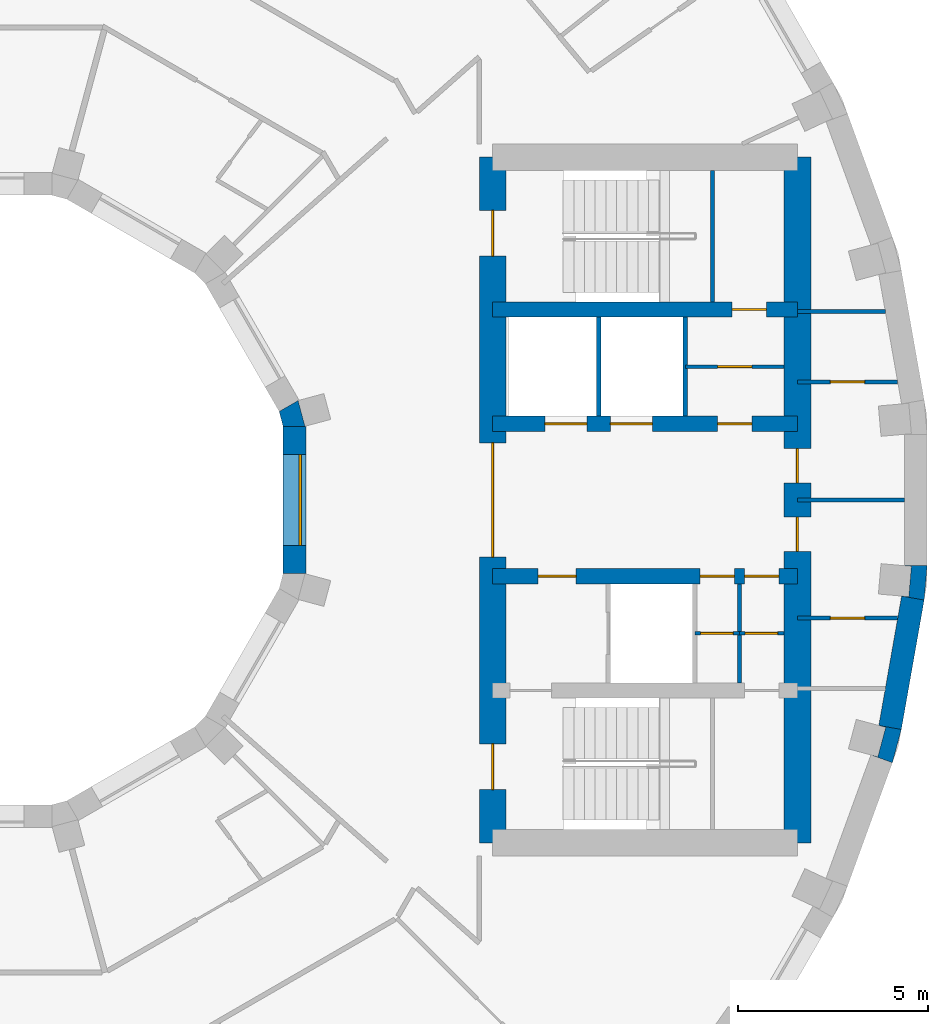
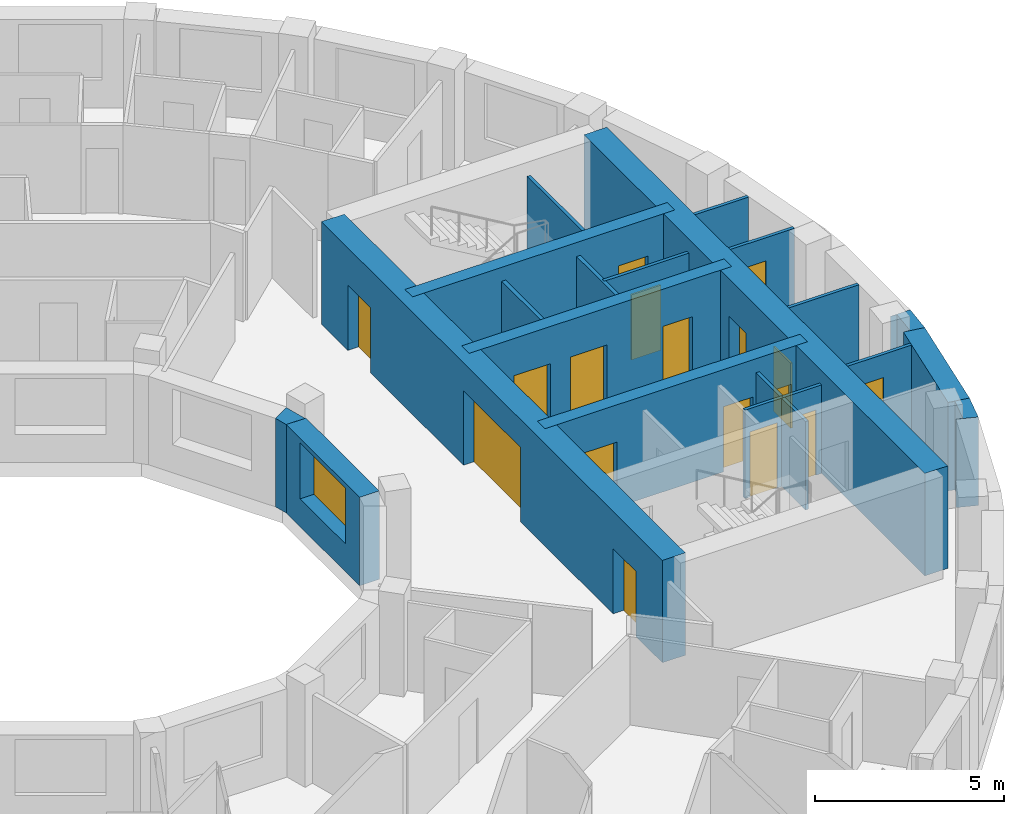
# One storey, part 9 of 14: 21 walls, 17 doors, 1 window, 18 openings.
"""IFC4 building model written with IfcOpenShell, lengths in metres."""

from ifc_helpers import new_model, si_unit, direction, frame, frame_2d, origin, place, context, subcontext, project, spatial, polyline, rectangle, outline, extrude, material, layer, layer_set, type_object, element, fill, save


model = new_model("IFC4")

# Units and contexts
model_context = context("Model", 3, precision=1e-05, world=origin(), true_north=direction((0.0, 1.0)))
body_context = subcontext(model_context, "Body", "Model", "MODEL_VIEW")
ifc_project = project(units=[si_unit("LENGTHUNIT", "METRE"), si_unit("AREAUNIT", "SQUARE_METRE"), si_unit("VOLUMEUNIT", "CUBIC_METRE"), si_unit("PLANEANGLEUNIT", "RADIAN"), si_unit("MASSUNIT", "GRAM", prefix="KILO")], contexts=[model_context])

# Site, building, storey
site_placement = place(None, origin())
site = spatial("IfcSite", under=ifc_project, at=site_placement, CompositionType="ELEMENT")
building_placement = place(site_placement, origin())
building = spatial("IfcBuilding", under=site, at=building_placement, Name="Saqina Gate Tower", CompositionType="ELEMENT")
storey_placement = place(building_placement, frame((0.0, 0.0, 213.60009765625)))
storey = spatial("IfcBuildingStorey", under=building, at=storey_placement, Name="L61", CompositionType="ELEMENT", Elevation=213.60009765625)

# Walls
ifc_material_1 = material(Name="Brick masonry (buff)", Category="masonry")
wall_type_1 = type_object("IfcWallType", Name="BRICK PIER COPING BUFF", PredefinedType="SOLIDWALL", material=ifc_material_1)
wall_1_placement = place(storey_placement, origin())
element("IfcWall", 1, at=wall_1_placement, inside=storey, type_object=wall_type_1, Name="Pier cap L61 column 35", PredefinedType="SOLIDWALL", context=body_context, shape_type="SweptSolid", body=[
    extrude(outline(polyline([(24.22705078125, -6.0234375), (23.635986328125, -5.919189453125), (23.81689453125, -5.967529296875), (23.610107421875, -6.740478515625), (23.428955078125, -6.69189453125), (23.992919921875, -6.897216796875), (24.22705078125, -6.0234375)])), origin(), (0.0, 0.0, 1.0), 2.849853515625),
])
wall_2_placement = place(storey_placement, origin())
element("IfcWall", 2, at=wall_2_placement, inside=storey, type_object=wall_type_1, Name="Pier cap L61 column 36", PredefinedType="SOLIDWALL", context=body_context, shape_type="SweptSolid", body=[
    extrude(outline(polyline([(24.825927734375, -2.6259765625), (24.90478515625, -1.724853515625), (24.304931640625, -1.724853515625), (24.491455078125, -1.7412109375), (24.421630859375, -2.5380859375), (24.235107421875, -2.521728515625), (24.825927734375, -2.6259765625)])), origin(), (0.0, 0.0, 1.0), 2.849853515625),
])
ifc_material_2 = material(Name="Gypsum board on steel studs", Category="steel")
ifc_layer_1 = layer(ifc_material_2, 0.10009765625)
ifc_layer_set_1 = layer_set([ifc_layer_1], Name="CORE PARTITION")
wall_type_2 = type_object("IfcWallType", Name="CORE PARTITION", PredefinedType="PARTITIONING", material=ifc_layer_set_1)
wall_3_placement = place(storey_placement, frame((21.5, 4.949951171875, 0.0), z_axis=(0.0, 0.0, 1.0), x_axis=(1.0, 0.0, 0.0)))
element("IfcWall", 3, at=wall_3_placement, inside=storey, type_object=wall_type_2, Name="L61-CP-E01", PredefinedType="PARTITIONING", context=body_context, shape_type="SweptSolid", body=[
    extrude(rectangle(XDim=2.306884765625, YDim=0.10009765625, at=frame_2d((1.1533203125, 0.0))), origin(), (0.0, 0.0, 1.0), 2.849853515625),
])

# Wall, opening, door
wall_4_placement = place(storey_placement, frame((21.5, 3.10009765625, 0.0), z_axis=(0.0, 0.0, 1.0), x_axis=(1.0, 0.0, 0.0)))
wall_4 = element("IfcWall", 4, at=wall_4_placement, inside=storey, type_object=wall_type_2, Name="L61-CP-E02", PredefinedType="PARTITIONING", context=body_context, shape_type="SweptSolid", body=[
    extrude(rectangle(XDim=2.63330078125, YDim=0.10009765625, at=frame_2d((1.316650390625, 0.0))), origin(), (0.0, 0.0, 1.0), 2.849853515625),
])
opening_1_placement = place(wall_4_placement, frame((0.86669921875, 0.0, 0.0)))
opening_1 = element("IfcOpeningElement", 5, at=opening_1_placement, cuts=wall_4, Name="Opening G18-D94", PredefinedType="OPENING", context=body_context, shape_type="SweptSolid", body=[
    extrude(rectangle(XDim=0.89990234375, YDim=2.10009765625, at=frame_2d((0.449951171875, 1.050048828125))), frame((0.0, 0.06201171875, 0.0), z_axis=(0.0, -1.0, 0.0), x_axis=(1.0, 0.0, 0.0)), (0.0, 0.0, 1.0), 0.1240234375),
])
ifc_material_3 = material(Name="Steel-framed fire door leaf, EI 60", Category="steel")
door_type_1 = type_object("IfcDoorType", Name="SERVICE ROOM DOOR 900", OperationType="SINGLE_SWING_LEFT", PredefinedType="DOOR", material=ifc_material_3)
door_1_placement = place(opening_1_placement, frame((0.89990234375, 0.0, 0.0), z_axis=(0.0, 0.0, 1.0), x_axis=(-1.0, 0.0, 0.0)))
door_1 = element("IfcDoor", 6, at=door_1_placement, inside=storey, type_object=door_type_1, Name="L61-CD-E05", OperationType="SINGLE_SWING_RIGHT", OverallHeight=2.10009765625, OverallWidth=0.89990234375, PredefinedType="DOOR", context=body_context, shape_type="SweptSolid", body=[
    extrude(rectangle(XDim=0.89990234375, YDim=2.10009765625, at=frame_2d((0.449951171875, 1.050048828125))), frame((0.0, 0.02490234375, 0.0), z_axis=(0.0, -1.0, 0.0), x_axis=(1.0, 0.0, 0.0)), (0.0, 0.0, 1.0), 0.050048828125),
])
fill(opening_1, door_1)

wall_5_placement = place(storey_placement, frame((21.5, -3.10009765625, 0.0), z_axis=(0.0, 0.0, 1.0), x_axis=(1.0, 0.0, 0.0)))
wall_5 = element("IfcWall", 7, at=wall_5_placement, inside=storey, type_object=wall_type_2, Name="L61-CP-E04", PredefinedType="PARTITIONING", context=body_context, shape_type="SweptSolid", body=[
    extrude(rectangle(XDim=2.63330078125, YDim=0.10009765625, at=frame_2d((1.316650390625, 0.0))), origin(), (0.0, 0.0, 1.0), 2.849853515625),
])
opening_2_placement = place(wall_5_placement, frame((0.86669921875, 0.0, 0.0)))
opening_2 = element("IfcOpeningElement", 8, at=opening_2_placement, cuts=wall_5, Name="Opening G18-D96", PredefinedType="OPENING", context=body_context, shape_type="SweptSolid", body=[
    extrude(rectangle(XDim=0.89990234375, YDim=2.10009765625, at=frame_2d((0.449951171875, 1.050048828125))), frame((0.0, 0.06201171875, 0.0), z_axis=(0.0, -1.0, 0.0), x_axis=(1.0, 0.0, 0.0)), (0.0, 0.0, 1.0), 0.1240234375),
])
door_2_placement = place(opening_2_placement, origin())
door_2 = element("IfcDoor", 9, at=door_2_placement, inside=storey, type_object=door_type_1, Name="L61-CD-E07", OperationType="SINGLE_SWING_LEFT", OverallHeight=2.10009765625, OverallWidth=0.89990234375, PredefinedType="DOOR", context=body_context, shape_type="SweptSolid", body=[
    extrude(rectangle(XDim=0.89990234375, YDim=2.10009765625, at=frame_2d((0.449951171875, 1.050048828125))), frame((0.0, 0.02490234375, 0.0), z_axis=(0.0, -1.0, 0.0), x_axis=(1.0, 0.0, 0.0)), (0.0, 0.0, 1.0), 0.050048828125),
])
fill(opening_2, door_2)

# Walls
wall_6_placement = place(storey_placement, frame((21.5, 0.0, 0.0), z_axis=(0.0, 0.0, 1.0), x_axis=(1.0, 0.0, 0.0)))
element("IfcWall", 10, at=wall_6_placement, inside=storey, type_object=wall_type_2, Name="L61-CP-E05", PredefinedType="PARTITIONING", context=body_context, shape_type="SweptSolid", body=[
    extrude(rectangle(XDim=2.804931640625, YDim=0.10009765625, at=frame_2d((1.40234375, 0.0))), origin(), (0.0, 0.0, 1.0), 2.849853515625),
])
wall_7_placement = place(storey_placement, frame((19.97998046875, -4.800048828125, 0.0), z_axis=(0.0, 0.0, 1.0), x_axis=(0.0, 1.0, 0.0)))
element("IfcWall", 11, at=wall_7_placement, inside=storey, type_object=wall_type_2, Name="L61-CP-E10", PredefinedType="PARTITIONING", context=body_context, shape_type="SweptSolid", body=[
    extrude(rectangle(XDim=2.60009765625, YDim=0.10009765625, at=frame_2d((1.300048828125, 0.0))), origin(), (0.0, 0.0, 1.0), 2.849853515625),
])

# Wall, opening, door
wall_8_placement = place(storey_placement, frame((18.56005859375, 3.5, 0.0), z_axis=(0.0, 0.0, 1.0), x_axis=(1.0, 0.0, 0.0)))
wall_8 = element("IfcWall", 12, at=wall_8_placement, inside=storey, type_object=wall_type_2, Name="L61-CP-E11", PredefinedType="PARTITIONING", context=body_context, shape_type="SweptSolid", body=[
    extrude(rectangle(XDim=2.58984375, YDim=0.10009765625, at=frame_2d((1.294921875, 0.0))), origin(), (0.0, 0.0, 1.0), 2.849853515625),
])
opening_3_placement = place(wall_8_placement, frame((0.844970703125, 0.0, 0.0)))
opening_3 = element("IfcOpeningElement", 13, at=opening_3_placement, cuts=wall_8, Name="Opening G18-D98", PredefinedType="OPENING", context=body_context, shape_type="SweptSolid", body=[
    extrude(rectangle(XDim=0.89990234375, YDim=2.10009765625, at=frame_2d((0.449951171875, 1.050048828125))), frame((0.0, 0.06201171875, 0.0), z_axis=(0.0, -1.0, 0.0), x_axis=(1.0, 0.0, 0.0)), (0.0, 0.0, 1.0), 0.1240234375),
])
door_3_placement = place(opening_3_placement, origin())
door_3 = element("IfcDoor", 14, at=door_3_placement, inside=storey, type_object=door_type_1, Name="L61-CD-E09", OperationType="SINGLE_SWING_RIGHT", OverallHeight=2.10009765625, OverallWidth=0.89990234375, PredefinedType="DOOR", context=body_context, shape_type="SweptSolid", body=[
    extrude(rectangle(XDim=0.89990234375, YDim=2.10009765625, at=frame_2d((0.449951171875, 1.050048828125))), frame((0.0, 0.02490234375, 0.0), z_axis=(0.0, -1.0, 0.0), x_axis=(1.0, 0.0, 0.0)), (0.0, 0.0, 1.0), 0.050048828125),
])
fill(opening_3, door_3)

wall_9_placement = place(storey_placement, frame((18.81005859375, -3.5, 0.0), z_axis=(0.0, 0.0, 1.0), x_axis=(1.0, 0.0, 0.0)))
wall_9 = element("IfcWall", 15, at=wall_9_placement, inside=storey, type_object=wall_type_2, Name="L61-CP-E12", PredefinedType="PARTITIONING", context=body_context, shape_type="SweptSolid", body=[
    extrude(rectangle(XDim=1.169921875, YDim=0.10009765625, at=frame_2d((0.5849609375, 0.0))), origin(), (0.0, 0.0, 1.0), 2.849853515625),
])
opening_4_placement = place(wall_9_placement, frame((0.14990234375, 0.0, 0.0)))
opening_4 = element("IfcOpeningElement", 16, at=opening_4_placement, cuts=wall_9, Name="Opening G18-D100", PredefinedType="OPENING", context=body_context, shape_type="SweptSolid", body=[
    extrude(rectangle(XDim=0.85009765625, YDim=2.10009765625, at=frame_2d((0.425048828125, 1.050048828125))), frame((0.0, 0.06201171875, 0.0), z_axis=(0.0, -1.0, 0.0), x_axis=(1.0, 0.0, 0.0)), (0.0, 0.0, 1.0), 0.1240234375),
])
ifc_material_4 = material(Name="Steel-framed fire door leaf, EI 60", Category="steel")
door_type_2 = type_object("IfcDoorType", Name="SERVICE ROOM DOOR 850", OperationType="SINGLE_SWING_LEFT", PredefinedType="DOOR", material=ifc_material_4)
door_4_placement = place(opening_4_placement, frame((0.85009765625, 0.0, 0.0), z_axis=(0.0, 0.0, 1.0), x_axis=(-1.0, 0.0, 0.0)))
door_4 = element("IfcDoor", 17, at=door_4_placement, inside=storey, type_object=door_type_2, Name="L61-CD-E11", OperationType="SINGLE_SWING_RIGHT", OverallHeight=2.10009765625, OverallWidth=0.85009765625, PredefinedType="DOOR", context=body_context, shape_type="SweptSolid", body=[
    extrude(rectangle(XDim=0.85009765625, YDim=2.10009765625, at=frame_2d((0.425048828125, 1.050048828125))), frame((0.0, 0.02490234375, 0.0), z_axis=(0.0, -1.0, 0.0), x_axis=(1.0, 0.0, 0.0)), (0.0, 0.0, 1.0), 0.050048828125),
])
fill(opening_4, door_4)

wall_10_placement = place(storey_placement, frame((19.97998046875, -3.5, 0.0), z_axis=(0.0, 0.0, 1.0), x_axis=(1.0, 0.0, 0.0)))
wall_10 = element("IfcWall", 18, at=wall_10_placement, inside=storey, type_object=wall_type_2, Name="L61-CP-E13", PredefinedType="PARTITIONING", context=body_context, shape_type="SweptSolid", body=[
    extrude(rectangle(XDim=1.169921875, YDim=0.10009765625, at=frame_2d((0.5849609375, 0.0))), origin(), (0.0, 0.0, 1.0), 2.849853515625),
])
opening_5_placement = place(wall_10_placement, frame((0.14990234375, 0.0, 0.0)))
opening_5 = element("IfcOpeningElement", 19, at=opening_5_placement, cuts=wall_10, Name="Opening G18-D101", PredefinedType="OPENING", context=body_context, shape_type="SweptSolid", body=[
    extrude(rectangle(XDim=0.85009765625, YDim=2.10009765625, at=frame_2d((0.425048828125, 1.050048828125))), frame((0.0, 0.06201171875, 0.0), z_axis=(0.0, -1.0, 0.0), x_axis=(1.0, 0.0, 0.0)), (0.0, 0.0, 1.0), 0.1240234375),
])
door_5_placement = place(opening_5_placement, frame((0.85009765625, 0.0, 0.0), z_axis=(0.0, 0.0, 1.0), x_axis=(-1.0, 0.0, 0.0)))
door_5 = element("IfcDoor", 20, at=door_5_placement, inside=storey, type_object=door_type_2, Name="L61-CD-E12", OperationType="SINGLE_SWING_LEFT", OverallHeight=2.10009765625, OverallWidth=0.85009765625, PredefinedType="DOOR", context=body_context, shape_type="SweptSolid", body=[
    extrude(rectangle(XDim=0.85009765625, YDim=2.10009765625, at=frame_2d((0.425048828125, 1.050048828125))), frame((0.0, 0.02490234375, 0.0), z_axis=(0.0, -1.0, 0.0), x_axis=(1.0, 0.0, 0.0)), (0.0, 0.0, 1.0), 0.050048828125),
])
fill(opening_5, door_5)

# Wall
ifc_material_5 = material(Name="Glazed ceramic tile (white)", Category="ceramic")
ifc_layer_2 = layer(ifc_material_5, 0.60009765625)
ifc_layer_set_2 = layer_set([ifc_layer_2], Name="FW-TILE-WH")
wall_type_3 = type_object("IfcWallType", Name="FW-TILE-WH", PredefinedType="SOLIDWALL", material=ifc_layer_set_2)
wall_11_placement = place(storey_placement, frame((23.931640625, -5.97119140625, 0.0), z_axis=(0.0, 0.0, 1.0), x_axis=(0.173607684551, 0.984814892183, 0.0)))
element("IfcWall", 21, at=wall_11_placement, inside=storey, type_object=wall_type_3, Name="Facade wall L61 facet 35", PredefinedType="SOLIDWALL", context=body_context, shape_type="SweptSolid", body=[
    extrude(rectangle(XDim=3.44970703125, YDim=0.60009765625, at=frame_2d((1.724853515625, 0.0))), origin(), (0.0, 0.0, 1.0), 2.849853515625),
])

# Wall, opening, window
ifc_material_6 = material(Name="Glazed ceramic tile", Category="ceramic")
ifc_layer_3 = layer(ifc_material_6, 0.60009765625)
ifc_layer_set_3 = layer_set([ifc_layer_3], Name="IW-TILE")
wall_type_4 = type_object("IfcWallType", Name="IW-TILE", PredefinedType="SOLIDWALL", material=ifc_layer_set_3)
wall_12_placement = place(storey_placement, frame((8.300048828125, -1.934814453125, 0.0), z_axis=(0.0, 0.0, 1.0), x_axis=(0.0, 1.0, 0.0)))
wall_12 = element("IfcWall", 22, at=wall_12_placement, inside=storey, type_object=wall_type_4, Name="Well wall L61 facet 12", PredefinedType="SOLIDWALL", context=body_context, shape_type="SweptSolid", body=[
    extrude(rectangle(XDim=3.86962890625, YDim=0.60009765625, at=frame_2d((1.934814453125, 0.0))), origin(), (0.0, 0.0, 1.0), 2.849853515625),
])
opening_6_placement = place(wall_12_placement, frame((0.73486328125, 0.0, 0.89990234375)))
opening_6 = element("IfcOpeningElement", 23, at=opening_6_placement, cuts=wall_12, Name="Opening G18-W34", PredefinedType="OPENING", context=body_context, shape_type="SweptSolid", body=[
    extrude(rectangle(XDim=2.39990234375, YDim=1.800048828125, at=frame_2d((1.199951171875, 0.89990234375))), frame((0.0, 0.31201171875, 0.0), z_axis=(0.0, -1.0, 0.0), x_axis=(1.0, 0.0, 0.0)), (0.0, 0.0, 1.0), 0.6240234375),
])
ifc_material_7 = material(Name="Aluminium glazing", Category="aluminium")
window_type = type_object("IfcWindowType", Name="WN-W", PartitioningType="SINGLE_PANEL", PredefinedType="WINDOW", material=ifc_material_7)
window_placement = place(opening_6_placement, origin())
window = element("IfcWindow", 24, at=window_placement, inside=storey, type_object=window_type, Name="Well window L61 facet 12", OverallHeight=1.800048828125, OverallWidth=2.39990234375, PartitioningType="SINGLE_PANEL", PredefinedType="WINDOW", context=body_context, shape_type="SweptSolid", body=[
    extrude(rectangle(XDim=2.39990234375, YDim=1.800048828125, at=frame_2d((1.199951171875, 0.89990234375))), frame((0.0, -0.119873046875, 0.0), z_axis=(0.0, -1.0, 0.0), x_axis=(1.0, 0.0, 0.0)), (0.0, 0.0, 1.0), 0.06005859375),
])
fill(opening_6, window)

# Walls
ifc_material_8 = material(Name="Autoclaved aerated concrete block", Category="concrete")
ifc_layer_4 = layer(ifc_material_8, 0.1201171875)
ifc_layer_set_4 = layer_set([ifc_layer_4], Name="SHAFT PARTITION")
wall_type_5 = type_object("IfcWallType", Name="SHAFT PARTITION", PredefinedType="PARTITIONING", material=ifc_layer_set_4)
for number, where, z_axis, x_axis, name in (
    (25, (16.280029296875, 2.199951171875, 0.0), (0.0, 0.0, 1.0), (0.0, 1.0, 0.0), "L61-CP-E06"),
    (26, (18.56005859375, 2.199951171875, 0.0), (0.0, 0.0, 1.0), (0.0, 1.0, 0.0), "L61-CP-E07"),
):
    element("IfcWall", number, at=place(storey_placement, frame(where, z_axis=z_axis, x_axis=x_axis)), inside=storey, type_object=wall_type_5, Name=name, PredefinedType="PARTITIONING", context=body_context, shape_type="SweptSolid", body=[
        extrude(rectangle(XDim=2.60009765625, YDim=0.1201171875, at=frame_2d((1.300048828125, 0.0))), origin(), (0.0, 0.0, 1.0), 2.849853515625),
    ])
ifc_material_9 = material(Name="Autoclaved aerated concrete block", Category="concrete")
ifc_layer_5 = layer(ifc_material_9, 0.10009765625)
ifc_layer_set_5 = layer_set([ifc_layer_5], Name="STAIR ENCLOSURE WALL")
wall_type_6 = type_object("IfcWallType", Name="STAIR ENCLOSURE WALL", PredefinedType="PARTITIONING", material=ifc_layer_set_5)
wall_13_placement = place(storey_placement, frame((19.27001953125, 5.199951171875, 0.0), z_axis=(0.0, 0.0, 1.0), x_axis=(0.0, 1.0, 0.0)))
element("IfcWall", 27, at=wall_13_placement, inside=storey, type_object=wall_type_6, Name="L61-CP-E14", PredefinedType="PARTITIONING", context=body_context, shape_type="SweptSolid", body=[
    extrude(rectangle(XDim=3.449951171875, YDim=0.10009765625, at=frame_2d((1.72509765625, 0.0))), origin(), (0.0, 0.0, 1.0), 2.849853515625),
])

# Wall, opening, door
ifc_material_10 = material(Name="Concrete C60/75", Category="concrete")
ifc_layer_6 = layer(ifc_material_10, 0.39990234375)
ifc_layer_set_6 = layer_set([ifc_layer_6], Name="Concrete C60/75")
wall_type_7 = type_object("IfcWallType", Name="STR-CORE WALL-C-I", PredefinedType="SHEAR", material=ifc_layer_set_6)
wall_14_placement = place(storey_placement, frame((13.5, 5.0, 0.0), z_axis=(0.0, 0.0, 1.0), x_axis=(1.0, 0.0, 0.0)))
wall_14 = element("IfcWall", 28, at=wall_14_placement, inside=storey, type_object=wall_type_7, Name="CORE WALL L61 E-X1", PredefinedType="SHEAR", context=body_context, shape_type="SweptSolid", body=[
    extrude(rectangle(XDim=8.0, YDim=0.39990234375, at=frame_2d((4.0, 0.0))), origin(), (0.0, 0.0, 1.0), 3.2998046875),
])
opening_7_placement = place(wall_14_placement, frame((6.284912109375, 0.0, 0.0)))
opening_7 = element("IfcOpeningElement", 29, at=opening_7_placement, cuts=wall_14, Name="Opening G18-D99", PredefinedType="OPENING", context=body_context, shape_type="SweptSolid", body=[
    extrude(rectangle(XDim=0.89990234375, YDim=2.10009765625, at=frame_2d((0.449951171875, 1.050048828125))), frame((0.0, 0.2119140625, 0.0), z_axis=(0.0, -1.0, 0.0), x_axis=(1.0, 0.0, 0.0)), (0.0, 0.0, 1.0), 0.423828125),
])
door_6_placement = place(opening_7_placement, origin())
door_6 = element("IfcDoor", 30, at=door_6_placement, inside=storey, type_object=door_type_1, Name="L61-CD-E10", OperationType="SINGLE_SWING_RIGHT", OverallHeight=2.10009765625, OverallWidth=0.89990234375, PredefinedType="DOOR", context=body_context, shape_type="SweptSolid", body=[
    extrude(rectangle(XDim=0.89990234375, YDim=2.10009765625, at=frame_2d((0.449951171875, 1.050048828125))), frame((0.0, 0.02490234375, 0.0), z_axis=(0.0, -1.0, 0.0), x_axis=(1.0, 0.0, 0.0)), (0.0, 0.0, 1.0), 0.050048828125),
])
fill(opening_7, door_6)

# Wall, openings, doors
wall_15_placement = place(storey_placement, frame((13.5, 2.0, 0.0), z_axis=(0.0, 0.0, 1.0), x_axis=(1.0, 0.0, 0.0)))
wall_15 = element("IfcWall", 31, at=wall_15_placement, inside=storey, type_object=wall_type_7, Name="CORE WALL L61 E-L1", PredefinedType="SHEAR", context=body_context, shape_type="SweptSolid", body=[
    extrude(rectangle(XDim=8.0, YDim=0.39990234375, at=frame_2d((4.0, 0.0))), origin(), (0.0, 0.0, 1.0), 3.2998046875),
])
opening_8_placement = place(wall_15_placement, frame((1.3701171875, 0.0, 0.0)))
opening_8 = element("IfcOpeningElement", 32, at=opening_8_placement, cuts=wall_15, Name="Opening G18-LD1", PredefinedType="OPENING", context=body_context, shape_type="SweptSolid", body=[
    extrude(rectangle(XDim=1.10009765625, YDim=2.10009765625, at=frame_2d((0.550048828125, 1.050048828125))), frame((0.0, 0.2119140625, 0.0), z_axis=(0.0, -1.0, 0.0), x_axis=(1.0, 0.0, 0.0)), (0.0, 0.0, 1.0), 0.423828125),
])
opening_9_placement = place(wall_15_placement, frame((3.090087890625, 0.0, 0.0)))
opening_9 = element("IfcOpeningElement", 33, at=opening_9_placement, cuts=wall_15, Name="Opening G18-LD2", PredefinedType="OPENING", context=body_context, shape_type="SweptSolid", body=[
    extrude(rectangle(XDim=1.10009765625, YDim=2.10009765625, at=frame_2d((0.550048828125, 1.050048828125))), frame((0.0, 0.2119140625, 0.0), z_axis=(0.0, -1.0, 0.0), x_axis=(1.0, 0.0, 0.0)), (0.0, 0.0, 1.0), 0.423828125),
])
opening_10_placement = place(wall_15_placement, frame((5.905029296875, 0.0, 0.0)))
opening_10 = element("IfcOpeningElement", 34, at=opening_10_placement, cuts=wall_15, Name="Opening G18-D90", PredefinedType="OPENING", context=body_context, shape_type="SweptSolid", body=[
    extrude(rectangle(XDim=0.89990234375, YDim=2.10009765625, at=frame_2d((0.449951171875, 1.050048828125))), frame((0.0, 0.2119140625, 0.0), z_axis=(0.0, -1.0, 0.0), x_axis=(1.0, 0.0, 0.0)), (0.0, 0.0, 1.0), 0.423828125),
])
ifc_material_11 = material(Name="Stainless steel", Category="steel")
door_type_3 = type_object("IfcDoorType", Name="LANDING DOOR", OperationType="DOUBLE_DOOR_SLIDING", PredefinedType="DOOR", material=ifc_material_11)
door_7_placement = place(opening_8_placement, origin())
door_7 = element("IfcDoor", 35, at=door_7_placement, inside=storey, type_object=door_type_3, Name="LANDING DOOR HR1", OperationType="DOUBLE_DOOR_SLIDING", OverallHeight=2.10009765625, OverallWidth=1.10009765625, PredefinedType="DOOR", context=body_context, shape_type="SweptSolid", body=[
    extrude(rectangle(XDim=1.10009765625, YDim=2.10009765625, at=frame_2d((0.550048828125, 1.050048828125))), frame((0.0, 0.02490234375, 0.0), z_axis=(0.0, -1.0, 0.0), x_axis=(1.0, 0.0, 0.0)), (0.0, 0.0, 1.0), 0.050048828125),
])
fill(opening_8, door_7)
door_8_placement = place(opening_9_placement, origin())
door_8 = element("IfcDoor", 36, at=door_8_placement, inside=storey, type_object=door_type_3, Name="LANDING DOOR HR2", OperationType="DOUBLE_DOOR_SLIDING", OverallHeight=2.10009765625, OverallWidth=1.10009765625, PredefinedType="DOOR", context=body_context, shape_type="SweptSolid", body=[
    extrude(rectangle(XDim=1.10009765625, YDim=2.10009765625, at=frame_2d((0.550048828125, 1.050048828125))), frame((0.0, 0.02490234375, 0.0), z_axis=(0.0, -1.0, 0.0), x_axis=(1.0, 0.0, 0.0)), (0.0, 0.0, 1.0), 0.050048828125),
])
fill(opening_9, door_8)
door_9_placement = place(opening_10_placement, origin())
door_9 = element("IfcDoor", 37, at=door_9_placement, inside=storey, type_object=door_type_1, Name="L61-CD-E01", OperationType="SINGLE_SWING_RIGHT", OverallHeight=2.10009765625, OverallWidth=0.89990234375, PredefinedType="DOOR", context=body_context, shape_type="SweptSolid", body=[
    extrude(rectangle(XDim=0.89990234375, YDim=2.10009765625, at=frame_2d((0.449951171875, 1.050048828125))), frame((0.0, 0.02490234375, 0.0), z_axis=(0.0, -1.0, 0.0), x_axis=(1.0, 0.0, 0.0)), (0.0, 0.0, 1.0), 0.050048828125),
])
fill(opening_10, door_9)

wall_16_placement = place(storey_placement, frame((13.5, -2.0, 0.0), z_axis=(0.0, 0.0, 1.0), x_axis=(1.0, 0.0, 0.0)))
wall_16 = element("IfcWall", 38, at=wall_16_placement, inside=storey, type_object=wall_type_7, Name="CORE WALL L61 E-L2", PredefinedType="SHEAR", context=body_context, shape_type="SweptSolid", body=[
    extrude(rectangle(XDim=8.0, YDim=0.39990234375, at=frame_2d((4.0, 0.0))), origin(), (0.0, 0.0, 1.0), 3.2998046875),
])
opening_11_placement = place(wall_16_placement, frame((1.18994140625, 0.0, 0.0)))
opening_11 = element("IfcOpeningElement", 39, at=opening_11_placement, cuts=wall_16, Name="Opening G18-D91", PredefinedType="OPENING", context=body_context, shape_type="SweptSolid", body=[
    extrude(rectangle(XDim=1.0, YDim=2.10009765625, at=frame_2d((0.5, 1.050048828125))), frame((0.0, 0.2119140625, 0.0), z_axis=(0.0, -1.0, 0.0), x_axis=(1.0, 0.0, 0.0)), (0.0, 0.0, 1.0), 0.423828125),
])
opening_12_placement = place(wall_16_placement, frame((5.445068359375, 0.0, 0.0)))
opening_12 = element("IfcOpeningElement", 40, at=opening_12_placement, cuts=wall_16, Name="Opening G18-D92", PredefinedType="OPENING", context=body_context, shape_type="SweptSolid", body=[
    extrude(rectangle(XDim=0.89990234375, YDim=2.10009765625, at=frame_2d((0.449951171875, 1.050048828125))), frame((0.0, 0.2119140625, 0.0), z_axis=(0.0, -1.0, 0.0), x_axis=(1.0, 0.0, 0.0)), (0.0, 0.0, 1.0), 0.423828125),
])
opening_13_placement = place(wall_16_placement, frame((6.614990234375, 0.0, 0.0)))
opening_13 = element("IfcOpeningElement", 41, at=opening_13_placement, cuts=wall_16, Name="Opening G18-D93", PredefinedType="OPENING", context=body_context, shape_type="SweptSolid", body=[
    extrude(rectangle(XDim=0.89990234375, YDim=2.10009765625, at=frame_2d((0.449951171875, 1.050048828125))), frame((0.0, 0.2119140625, 0.0), z_axis=(0.0, -1.0, 0.0), x_axis=(1.0, 0.0, 0.0)), (0.0, 0.0, 1.0), 0.423828125),
])
ifc_material_12 = material(Name="Steel", Category="steel")
door_type_4 = type_object("IfcDoorType", Name="FIRE LOBBY DOOR EI 60", OperationType="SINGLE_SWING_LEFT", PredefinedType="DOOR", material=ifc_material_12)
door_10_placement = place(opening_11_placement, origin())
door_10 = element("IfcDoor", 42, at=door_10_placement, inside=storey, type_object=door_type_4, Name="L61-CD-E02", OperationType="SINGLE_SWING_LEFT", OverallHeight=2.10009765625, OverallWidth=1.0, PredefinedType="DOOR", context=body_context, shape_type="SweptSolid", body=[
    extrude(rectangle(XDim=1.0, YDim=2.10009765625, at=frame_2d((0.5, 1.050048828125))), frame((0.0, 0.02490234375, 0.0), z_axis=(0.0, -1.0, 0.0), x_axis=(1.0, 0.0, 0.0)), (0.0, 0.0, 1.0), 0.050048828125),
])
fill(opening_11, door_10)
door_11_placement = place(opening_12_placement, frame((0.89990234375, 0.0, 0.0), z_axis=(0.0, 0.0, 1.0), x_axis=(-1.0, 0.0, 0.0)))
door_11 = element("IfcDoor", 43, at=door_11_placement, inside=storey, type_object=door_type_1, Name="L61-CD-E03", OperationType="SINGLE_SWING_RIGHT", OverallHeight=2.10009765625, OverallWidth=0.89990234375, PredefinedType="DOOR", context=body_context, shape_type="SweptSolid", body=[
    extrude(rectangle(XDim=0.89990234375, YDim=2.10009765625, at=frame_2d((0.449951171875, 1.050048828125))), frame((0.0, 0.02490234375, 0.0), z_axis=(0.0, -1.0, 0.0), x_axis=(1.0, 0.0, 0.0)), (0.0, 0.0, 1.0), 0.050048828125),
])
fill(opening_12, door_11)
door_12_placement = place(opening_13_placement, frame((0.89990234375, 0.0, 0.0), z_axis=(0.0, 0.0, 1.0), x_axis=(-1.0, 0.0, 0.0)))
door_12 = element("IfcDoor", 44, at=door_12_placement, inside=storey, type_object=door_type_1, Name="L61-CD-E04", OperationType="SINGLE_SWING_LEFT", OverallHeight=2.10009765625, OverallWidth=0.89990234375, PredefinedType="DOOR", context=body_context, shape_type="SweptSolid", body=[
    extrude(rectangle(XDim=0.89990234375, YDim=2.10009765625, at=frame_2d((0.449951171875, 1.050048828125))), frame((0.0, 0.02490234375, 0.0), z_axis=(0.0, -1.0, 0.0), x_axis=(1.0, 0.0, 0.0)), (0.0, 0.0, 1.0), 0.050048828125),
])
fill(opening_13, door_12)

ifc_material_13 = material(Name="Concrete C60/75", Category="concrete")
ifc_layer_7 = layer(ifc_material_13, 0.699951171875)
ifc_layer_set_7 = layer_set([ifc_layer_7], Name="Concrete C60/75")
wall_type_8 = type_object("IfcWallType", Name="STR-CORE WALL-C-O", PredefinedType="SHEAR", material=ifc_layer_set_7)
wall_17_placement = place(storey_placement, frame((13.5, -9.0, 0.0), z_axis=(0.0, 0.0, 1.0), x_axis=(0.0, 1.0, 0.0)))
wall_17 = element("IfcWall", 45, at=wall_17_placement, inside=storey, type_object=wall_type_8, Name="CORE WALL L61 E-W1", PredefinedType="SHEAR", context=body_context, shape_type="SweptSolid", body=[
    extrude(rectangle(XDim=18.0, YDim=0.699951171875, at=frame_2d((9.0, 0.0))), origin(), (0.0, 0.0, 1.0), 3.2998046875),
])
opening_14_placement = place(wall_17_placement, frame((15.39990234375, 0.0, 0.0)))
opening_14 = element("IfcOpeningElement", 46, at=opening_14_placement, cuts=wall_17, Name="Opening G18-D104", PredefinedType="OPENING", context=body_context, shape_type="SweptSolid", body=[
    extrude(rectangle(XDim=1.199951171875, YDim=2.10009765625, at=frame_2d((0.60009765625, 1.050048828125))), frame((0.0, 0.362060546875, 0.0), z_axis=(0.0, -1.0, 0.0), x_axis=(1.0, 0.0, 0.0)), (0.0, 0.0, 1.0), 0.723876953125),
])
opening_15_placement = place(wall_17_placement, frame((1.39990234375, 0.0, 0.0)))
opening_15 = element("IfcOpeningElement", 47, at=opening_15_placement, cuts=wall_17, Name="Opening G18-D105", PredefinedType="OPENING", context=body_context, shape_type="SweptSolid", body=[
    extrude(rectangle(XDim=1.199951171875, YDim=2.10009765625, at=frame_2d((0.60009765625, 1.050048828125))), frame((0.0, 0.362060546875, 0.0), z_axis=(0.0, -1.0, 0.0), x_axis=(1.0, 0.0, 0.0)), (0.0, 0.0, 1.0), 0.723876953125),
])
opening_16_placement = place(wall_17_placement, frame((7.5, 0.0, 0.0)))
opening_16 = element("IfcOpeningElement", 48, at=opening_16_placement, cuts=wall_17, Name="Opening G18-D106", PredefinedType="OPENING", context=body_context, shape_type="SweptSolid", body=[
    extrude(rectangle(XDim=3.0, YDim=2.39990234375, at=frame_2d((1.5, 1.199951171875))), frame((0.0, 0.362060546875, 0.0), z_axis=(0.0, -1.0, 0.0), x_axis=(1.0, 0.0, 0.0)), (0.0, 0.0, 1.0), 0.723876953125),
])
ifc_material_14 = material(Name="Steel", Category="steel")
door_type_5 = type_object("IfcDoorType", Name="FIRE DOOR EI 60", OperationType="SINGLE_SWING_LEFT", PredefinedType="DOOR", material=ifc_material_14)
door_13_placement = place(opening_14_placement, frame((1.199951171875, 0.0, 0.0), z_axis=(0.0, 0.0, 1.0), x_axis=(-1.0, 0.0, 0.0)))
door_13 = element("IfcDoor", 49, at=door_13_placement, inside=storey, type_object=door_type_5, Name="L61-CD-E15", OperationType="SINGLE_SWING_LEFT", OverallHeight=2.10009765625, OverallWidth=1.199951171875, PredefinedType="DOOR", context=body_context, shape_type="SweptSolid", body=[
    extrude(rectangle(XDim=1.199951171875, YDim=2.10009765625, at=frame_2d((0.60009765625, 1.050048828125))), frame((0.0, 0.02490234375, 0.0), z_axis=(0.0, -1.0, 0.0), x_axis=(1.0, 0.0, 0.0)), (0.0, 0.0, 1.0), 0.050048828125),
])
fill(opening_14, door_13)
door_14_placement = place(opening_15_placement, frame((1.199951171875, 0.0, 0.0), z_axis=(0.0, 0.0, 1.0), x_axis=(-1.0, 0.0, 0.0)))
door_14 = element("IfcDoor", 50, at=door_14_placement, inside=storey, type_object=door_type_5, Name="L61-CD-E16", OperationType="SINGLE_SWING_RIGHT", OverallHeight=2.10009765625, OverallWidth=1.199951171875, PredefinedType="DOOR", context=body_context, shape_type="SweptSolid", body=[
    extrude(rectangle(XDim=1.199951171875, YDim=2.10009765625, at=frame_2d((0.60009765625, 1.050048828125))), frame((0.0, 0.02490234375, 0.0), z_axis=(0.0, -1.0, 0.0), x_axis=(1.0, 0.0, 0.0)), (0.0, 0.0, 1.0), 0.050048828125),
])
fill(opening_15, door_14)
ifc_material_15 = material(Name="Steel and fire-resisting glass", Category="steel")
door_type_6 = type_object("IfcDoorType", Name="LOBBY SCREEN DOOR", OperationType="DOUBLE_DOOR_SLIDING", PredefinedType="DOOR", material=ifc_material_15)
door_15_placement = place(opening_16_placement, origin())
door_15 = element("IfcDoor", 51, at=door_15_placement, inside=storey, type_object=door_type_6, Name="L61-CD-E17", OperationType="DOUBLE_DOOR_SLIDING", OverallHeight=2.39990234375, OverallWidth=3.0, PredefinedType="DOOR", context=body_context, shape_type="SweptSolid", body=[
    extrude(rectangle(XDim=3.0, YDim=2.39990234375, at=frame_2d((1.5, 1.199951171875))), frame((0.0, 0.02490234375, 0.0), z_axis=(0.0, -1.0, 0.0), x_axis=(1.0, 0.0, 0.0)), (0.0, 0.0, 1.0), 0.050048828125),
])
fill(opening_16, door_15)

wall_18_placement = place(storey_placement, frame((21.5, -9.0, 0.0), z_axis=(0.0, 0.0, 1.0), x_axis=(0.0, 1.0, 0.0)))
wall_18 = element("IfcWall", 52, at=wall_18_placement, inside=storey, type_object=wall_type_8, Name="CORE WALL L61 E-W2", PredefinedType="SHEAR", context=body_context, shape_type="SweptSolid", body=[
    extrude(rectangle(XDim=18.0, YDim=0.699951171875, at=frame_2d((9.0, 0.0))), origin(), (0.0, 0.0, 1.0), 3.2998046875),
])
opening_17_placement = place(wall_18_placement, frame((9.449951171875, 0.0, 0.0)))
opening_17 = element("IfcOpeningElement", 53, at=opening_17_placement, cuts=wall_18, Name="Opening G18-D95", PredefinedType="OPENING", context=body_context, shape_type="SweptSolid", body=[
    extrude(rectangle(XDim=0.89990234375, YDim=2.10009765625, at=frame_2d((0.449951171875, 1.050048828125))), frame((0.0, 0.362060546875, 0.0), z_axis=(0.0, -1.0, 0.0), x_axis=(1.0, 0.0, 0.0)), (0.0, 0.0, 1.0), 0.723876953125),
])
opening_18_placement = place(wall_18_placement, frame((7.64990234375, 0.0, 0.0)))
opening_18 = element("IfcOpeningElement", 54, at=opening_18_placement, cuts=wall_18, Name="Opening G18-D97", PredefinedType="OPENING", context=body_context, shape_type="SweptSolid", body=[
    extrude(rectangle(XDim=0.89990234375, YDim=2.10009765625, at=frame_2d((0.449951171875, 1.050048828125))), frame((0.0, 0.362060546875, 0.0), z_axis=(0.0, -1.0, 0.0), x_axis=(1.0, 0.0, 0.0)), (0.0, 0.0, 1.0), 0.723876953125),
])
door_16_placement = place(opening_17_placement, frame((0.89990234375, 0.0, 0.0), z_axis=(0.0, 0.0, 1.0), x_axis=(-1.0, 0.0, 0.0)))
door_16 = element("IfcDoor", 55, at=door_16_placement, inside=storey, type_object=door_type_1, Name="L61-CD-E06", OperationType="SINGLE_SWING_RIGHT", OverallHeight=2.10009765625, OverallWidth=0.89990234375, PredefinedType="DOOR", context=body_context, shape_type="SweptSolid", body=[
    extrude(rectangle(XDim=0.89990234375, YDim=2.10009765625, at=frame_2d((0.449951171875, 1.050048828125))), frame((0.0, 0.02490234375, 0.0), z_axis=(0.0, -1.0, 0.0), x_axis=(1.0, 0.0, 0.0)), (0.0, 0.0, 1.0), 0.050048828125),
])
fill(opening_17, door_16)
door_17_placement = place(opening_18_placement, frame((0.89990234375, 0.0, 0.0), z_axis=(0.0, 0.0, 1.0), x_axis=(-1.0, 0.0, 0.0)))
door_17 = element("IfcDoor", 56, at=door_17_placement, inside=storey, type_object=door_type_1, Name="L61-CD-E08", OperationType="SINGLE_SWING_LEFT", OverallHeight=2.10009765625, OverallWidth=0.89990234375, PredefinedType="DOOR", context=body_context, shape_type="SweptSolid", body=[
    extrude(rectangle(XDim=0.89990234375, YDim=2.10009765625, at=frame_2d((0.449951171875, 1.050048828125))), frame((0.0, 0.02490234375, 0.0), z_axis=(0.0, -1.0, 0.0), x_axis=(1.0, 0.0, 0.0)), (0.0, 0.0, 1.0), 0.050048828125),
])
fill(opening_18, door_17)

# Wall
ifc_material_16 = material(Name="Glazed ceramic tile", Category="ceramic")
wall_type_9 = type_object("IfcWallType", Name="TILE PIER COPING", PredefinedType="SOLIDWALL", material=ifc_material_16)
wall_19_placement = place(storey_placement, origin())
element("IfcWall", 57, at=wall_19_placement, inside=storey, type_object=wall_type_9, Name="Well pier cap L61 column 1", PredefinedType="SOLIDWALL", context=body_context, shape_type="SweptSolid", body=[
    extrude(outline(polyline([(8.392333984375, 2.611083984375), (7.895751953125, 2.32421875), (8.0, 1.934814453125), (8.573486328125, 1.934814453125), (8.392333984375, 2.611083984375)])), origin(), (0.0, 0.0, 1.0), 2.849853515625),
])

save(model, "model.ifc")
